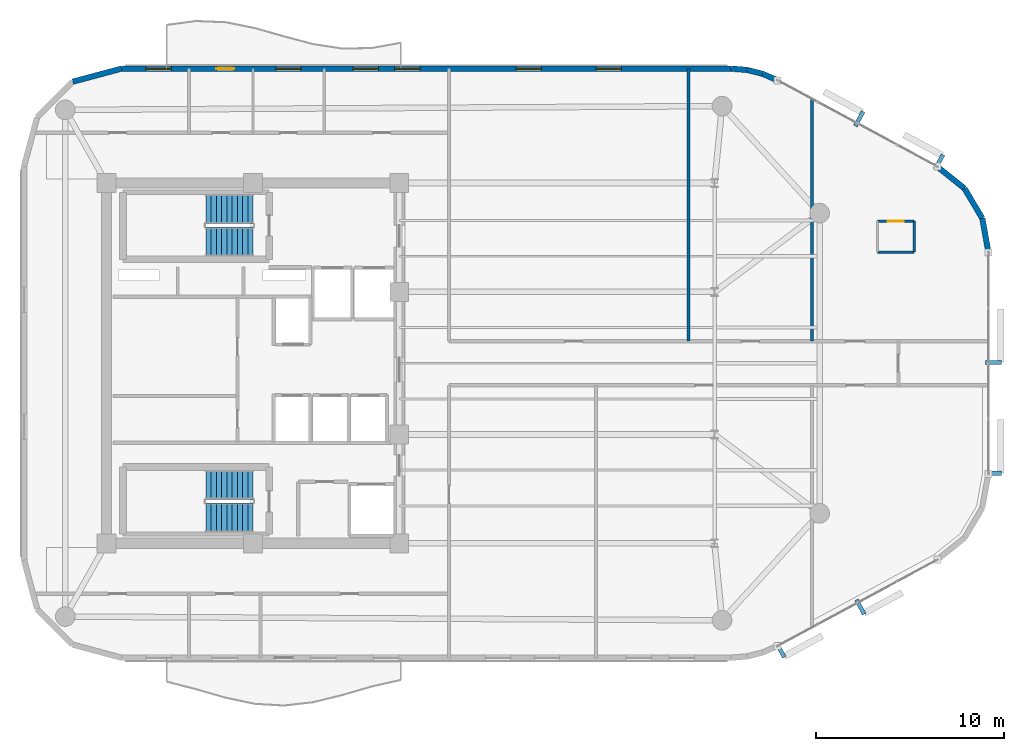
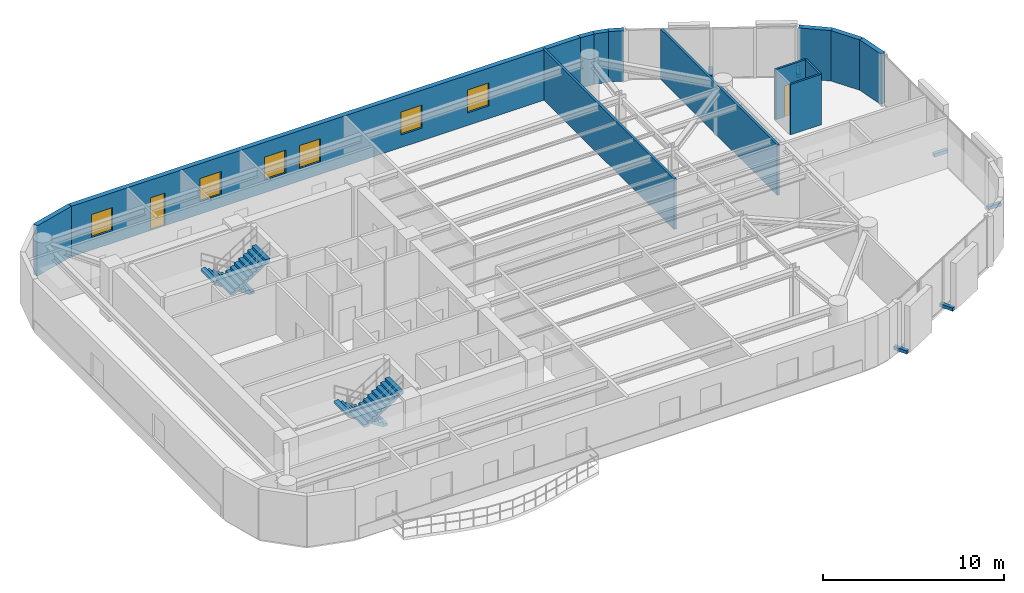
# One storey, part 11 of 13: 13 walls, 6 discrete accessories, 6 windows, 4 stair flights, 2 doors, 8 openings, 2 elements without a shape of their own.
"""IFC4 building model written with IfcOpenShell, lengths in metres."""

from ifc_helpers import new_model, si_unit, direction, frame, frame_2d, origin, origin_2d, place, context, subcontext, project, spatial, polyline, rectangle, outline, extrude, material, layer, layer_set, type_object, element, fill, aggregate, save


model = new_model("IFC4")

# Units and contexts
model_context = context("Model", 3, precision=1e-05, world=origin(), true_north=direction((0.0, 1.0)))
body_context = subcontext(model_context, "Body", "Model", "MODEL_VIEW")
ifc_project = project(units=[si_unit("LENGTHUNIT", "METRE"), si_unit("AREAUNIT", "SQUARE_METRE"), si_unit("VOLUMEUNIT", "CUBIC_METRE"), si_unit("PLANEANGLEUNIT", "RADIAN"), si_unit("MASSUNIT", "GRAM", prefix="KILO")], contexts=[model_context])

# Site, building, storey
site_placement = place(None, origin())
site = spatial("IfcSite", under=ifc_project, at=site_placement, CompositionType="ELEMENT")
building_placement = place(site_placement, origin())
building = spatial("IfcBuilding", under=site, at=building_placement, Name="An Khanh Terracotta Commons", CompositionType="ELEMENT")
storey_placement = place(building_placement, frame((0.0, 0.0, 204.89990234375)))
storey = spatial("IfcBuildingStorey", under=building, at=storey_placement, Name="L53", CompositionType="ELEMENT", Elevation=204.89990234375)

# Walls
ifc_material_1 = material(Name="Precast concrete C40/50", Category="concrete")
ifc_layer_1 = layer(ifc_material_1, 0.300048828125, Name="Precast concrete C40/50")
ifc_layer_set_1 = layer_set([ifc_layer_1], Name="Precast concrete C40/50")
wall_type_1 = type_object("IfcWallType", Name="WALL-EXT-300", PredefinedType="SOLIDWALL", material=ifc_layer_set_1)
wall_1_placement = place(storey_placement, frame((68.60009765625, 29.89892578125, 0.0), z_axis=(0.0, 0.0, 1.0), x_axis=(-0.178468469252, 0.983945631365, 0.0)))
element("IfcWall", 1, at=wall_1_placement, inside=storey, type_object=wall_type_1, Name="L53 Insulated Terracotta Exterior Wall 13", PredefinedType="SOLIDWALL", context=body_context, shape_type="SweptSolid", body=[
    extrude(rectangle(XDim=1.85498046875, YDim=0.300048828125, at=frame_2d((0.927490234375, 0.0))), origin(), (0.0, 0.0, 1.0), 3.400146484375),
])
wall_2_placement = place(storey_placement, frame((68.26904296875, 31.72412109375, 0.0), z_axis=(0.0, 0.0, 1.0), x_axis=(-0.512072018927, 0.858942516955, 0.0)))
element("IfcWall", 2, at=wall_2_placement, inside=storey, type_object=wall_type_1, Name="L53 Insulated Terracotta Exterior Wall 14", PredefinedType="SOLIDWALL", context=body_context, shape_type="SweptSolid", body=[
    extrude(rectangle(XDim=1.853271484375, YDim=0.300048828125, at=frame_2d((0.9267578125, 0.0))), origin(), (0.0, 0.0, 1.0), 3.400146484375),
])
wall_3_placement = place(storey_placement, frame((67.320068359375, 33.31591796875, 0.0), z_axis=(0.0, 0.0, 1.0), x_axis=(-0.780920189257, 0.624630817372, 0.0)))
element("IfcWall", 3, at=wall_3_placement, inside=storey, type_object=wall_type_1, Name="L53 Insulated Terracotta Exterior Wall 15", PredefinedType="SOLIDWALL", context=body_context, shape_type="SweptSolid", body=[
    extrude(rectangle(XDim=1.854248046875, YDim=0.300048828125, at=frame_2d((0.92724609375, 0.0))), origin(), (0.0, 0.0, 1.0), 3.400146484375),
])
wall_4_placement = place(storey_placement, frame((57.35693359375, 39.074951171875, 0.0), z_axis=(0.0, 0.0, 1.0), x_axis=(-0.916085473636, 0.400983048261, 0.0)))
element("IfcWall", 4, at=wall_4_placement, inside=storey, type_object=wall_type_1, Name="L53 Insulated Terracotta Exterior Wall 17", PredefinedType="SOLIDWALL", context=body_context, shape_type="SweptSolid", body=[
    extrude(rectangle(XDim=0.85791015625, YDim=0.300048828125, at=frame_2d((0.428955078125, 0.0))), origin(), (0.0, 0.0, 1.0), 3.400146484375),
])
wall_5_placement = place(storey_placement, frame((56.571044921875, 39.4189453125, 0.0), z_axis=(0.0, 0.0, 1.0), x_axis=(-0.969536346338, 0.244947490555, 0.0)))
element("IfcWall", 5, at=wall_5_placement, inside=storey, type_object=wall_type_1, Name="L53 Insulated Terracotta Exterior Wall 18", PredefinedType="SOLIDWALL", context=body_context, shape_type="SweptSolid", body=[
    extrude(rectangle(XDim=0.857177734375, YDim=0.300048828125, at=frame_2d((0.4287109375, 0.0))), origin(), (0.0, 0.0, 1.0), 3.400146484375),
])
wall_6_placement = place(storey_placement, frame((55.739990234375, 39.62890625, 0.0), z_axis=(0.0, 0.0, 1.0), x_axis=(-0.996565355958, 0.082809971041, 0.0)))
element("IfcWall", 6, at=wall_6_placement, inside=storey, type_object=wall_type_1, Name="L53 Insulated Terracotta Exterior Wall 19", PredefinedType="SOLIDWALL", context=body_context, shape_type="SweptSolid", body=[
    extrude(rectangle(XDim=0.85791015625, YDim=0.300048828125, at=frame_2d((0.428955078125, 0.0))), origin(), (0.0, 0.0, 1.0), 3.400146484375),
])

# Wall, openings, door, windows
wall_7_placement = place(storey_placement, frame((54.885009765625, 39.699951171875, 0.0), z_axis=(0.0, 0.0, 1.0), x_axis=(-1.0, 0.0, 0.0)))
wall_7 = element("IfcWall", 7, at=wall_7_placement, inside=storey, type_object=wall_type_1, Name="L53 Insulated Terracotta Exterior Wall 20", PredefinedType="SOLIDWALL", context=body_context, shape_type="SweptSolid", body=[
    extrude(rectangle(XDim=32.485107421875, YDim=0.300048828125, at=frame_2d((16.24267578125, 0.0))), origin(), (0.0, 0.0, 1.0), 3.400146484375),
])
opening_1_placement = place(wall_7_placement, frame((26.485107421875, 0.0, 0.0)))
opening_1 = element("IfcOpeningElement", 8, at=opening_1_placement, cuts=wall_7, Name="Opening D-BAL", PredefinedType="OPENING", context=body_context, shape_type="SweptSolid", body=[
    extrude(rectangle(XDim=0.949951171875, YDim=2.199951171875, at=frame_2d((0.47509765625, 1.10009765625))), frame((0.0, 0.159912109375, 0.0), z_axis=(0.0, -1.0, 0.0), x_axis=(1.0, 0.0, 0.0)), (0.0, 0.0, 1.0), 0.320068359375),
])
opening_2_placement = place(wall_7_placement, frame((5.845947265625, 0.0, 0.85009765625)))
opening_2 = element("IfcOpeningElement", 9, at=opening_2_placement, cuts=wall_7, Name="Opening W-04", PredefinedType="OPENING", context=body_context, shape_type="SweptSolid", body=[
    extrude(rectangle(XDim=1.35009765625, YDim=1.550048828125, at=frame_2d((0.675048828125, 0.77490234375))), frame((0.0, 0.159912109375, 0.0), z_axis=(0.0, -1.0, 0.0), x_axis=(1.0, 0.0, 0.0)), (0.0, 0.0, 1.0), 0.320068359375),
])
opening_3_placement = place(wall_7_placement, frame((10.10302734375, 0.0, 0.85009765625)))
opening_3 = element("IfcOpeningElement", 10, at=opening_3_placement, cuts=wall_7, Name="Opening W-04", PredefinedType="OPENING", context=body_context, shape_type="SweptSolid", body=[
    extrude(rectangle(XDim=1.35009765625, YDim=1.550048828125, at=frame_2d((0.675048828125, 0.77490234375))), frame((0.0, 0.159912109375, 0.0), z_axis=(0.0, -1.0, 0.0), x_axis=(1.0, 0.0, 0.0)), (0.0, 0.0, 1.0), 0.320068359375),
])
opening_4_placement = place(wall_7_placement, frame((16.576904296875, 0.0, 0.85009765625)))
opening_4 = element("IfcOpeningElement", 11, at=opening_4_placement, cuts=wall_7, Name="Opening W-04", PredefinedType="OPENING", context=body_context, shape_type="SweptSolid", body=[
    extrude(rectangle(XDim=1.35009765625, YDim=1.550048828125, at=frame_2d((0.675048828125, 0.77490234375))), frame((0.0, 0.159912109375, 0.0), z_axis=(0.0, -1.0, 0.0), x_axis=(1.0, 0.0, 0.0)), (0.0, 0.0, 1.0), 0.320068359375),
])
opening_5_placement = place(wall_7_placement, frame((18.79296875, 0.0, 0.85009765625)))
opening_5 = element("IfcOpeningElement", 12, at=opening_5_placement, cuts=wall_7, Name="Opening W-04", PredefinedType="OPENING", context=body_context, shape_type="SweptSolid", body=[
    extrude(rectangle(XDim=1.35009765625, YDim=1.550048828125, at=frame_2d((0.675048828125, 0.77490234375))), frame((0.0, 0.159912109375, 0.0), z_axis=(0.0, -1.0, 0.0), x_axis=(1.0, 0.0, 0.0)), (0.0, 0.0, 1.0), 0.320068359375),
])
opening_6_placement = place(wall_7_placement, frame((22.909912109375, 0.0, 0.85009765625)))
opening_6 = element("IfcOpeningElement", 13, at=opening_6_placement, cuts=wall_7, Name="Opening W-04", PredefinedType="OPENING", context=body_context, shape_type="SweptSolid", body=[
    extrude(rectangle(XDim=1.35009765625, YDim=1.550048828125, at=frame_2d((0.675048828125, 0.77490234375))), frame((0.0, 0.159912109375, 0.0), z_axis=(0.0, -1.0, 0.0), x_axis=(1.0, 0.0, 0.0)), (0.0, 0.0, 1.0), 0.320068359375),
])
opening_7_placement = place(wall_7_placement, frame((29.8349609375, 0.0, 0.85009765625)))
opening_7 = element("IfcOpeningElement", 14, at=opening_7_placement, cuts=wall_7, Name="Opening W-04", PredefinedType="OPENING", context=body_context, shape_type="SweptSolid", body=[
    extrude(rectangle(XDim=1.35009765625, YDim=1.550048828125, at=frame_2d((0.675048828125, 0.77490234375))), frame((0.0, 0.159912109375, 0.0), z_axis=(0.0, -1.0, 0.0), x_axis=(1.0, 0.0, 0.0)), (0.0, 0.0, 1.0), 0.320068359375),
])
ifc_material_2 = material(Name="Thermally Broken Aluminium and Low-E Glass", Category="aluminium")
door_type_1 = type_object("IfcDoorType", Name="DOOR-BALC-950", OperationType="NOTDEFINED", PredefinedType="DOOR", material=ifc_material_2)
door_1_placement = place(opening_1_placement, origin())
door_1 = element("IfcDoor", 15, at=door_1_placement, inside=storey, type_object=door_type_1, Name="L53 N Wave Balcony Glazed Door", OperationType="SINGLE_SWING_RIGHT", OverallHeight=2.199951171875, OverallWidth=0.949951171875, PredefinedType="DOOR", context=body_context, shape_type="SweptSolid", body=[
    extrude(rectangle(XDim=0.949951171875, YDim=2.199951171875, at=frame_2d((0.47509765625, 1.10009765625))), frame((0.0, 0.02490234375, 0.0), z_axis=(0.0, -1.0, 0.0), x_axis=(1.0, 0.0, 0.0)), (0.0, 0.0, 1.0), 0.050048828125),
])
fill(opening_1, door_1)
window_type = type_object("IfcWindowType", Name="WIN-Z4-1350x1550", PartitioningType="SINGLE_PANEL", PredefinedType="WINDOW", material=ifc_material_2)
window_1_placement = place(opening_2_placement, origin())
window_1 = element("IfcWindow", 16, at=window_1_placement, inside=storey, type_object=window_type, Name="L53 Operable Casement Window 20.1", OverallHeight=1.550048828125, OverallWidth=1.35009765625, PartitioningType="SINGLE_PANEL", PredefinedType="WINDOW", context=body_context, shape_type="SweptSolid", body=[
    extrude(rectangle(XDim=1.35009765625, YDim=1.550048828125, at=frame_2d((0.675048828125, 0.77490234375))), frame((0.0, 0.030029296875, 0.0), z_axis=(0.0, -1.0, 0.0), x_axis=(1.0, 0.0, 0.0)), (0.0, 0.0, 1.0), 0.06005859375),
])
fill(opening_2, window_1)
window_2_placement = place(opening_3_placement, origin())
window_2 = element("IfcWindow", 17, at=window_2_placement, inside=storey, type_object=window_type, Name="L53 Operable Casement Window 20.2", OverallHeight=1.550048828125, OverallWidth=1.35009765625, PartitioningType="SINGLE_PANEL", PredefinedType="WINDOW", context=body_context, shape_type="SweptSolid", body=[
    extrude(rectangle(XDim=1.35009765625, YDim=1.550048828125, at=frame_2d((0.675048828125, 0.77490234375))), frame((0.0, 0.030029296875, 0.0), z_axis=(0.0, -1.0, 0.0), x_axis=(1.0, 0.0, 0.0)), (0.0, 0.0, 1.0), 0.06005859375),
])
fill(opening_3, window_2)
window_3_placement = place(opening_4_placement, origin())
window_3 = element("IfcWindow", 18, at=window_3_placement, inside=storey, type_object=window_type, Name="L53 Operable Casement Window 20.3", OverallHeight=1.550048828125, OverallWidth=1.35009765625, PartitioningType="SINGLE_PANEL", PredefinedType="WINDOW", context=body_context, shape_type="SweptSolid", body=[
    extrude(rectangle(XDim=1.35009765625, YDim=1.550048828125, at=frame_2d((0.675048828125, 0.77490234375))), frame((0.0, 0.030029296875, 0.0), z_axis=(0.0, -1.0, 0.0), x_axis=(1.0, 0.0, 0.0)), (0.0, 0.0, 1.0), 0.06005859375),
])
fill(opening_4, window_3)
window_4_placement = place(opening_5_placement, origin())
window_4 = element("IfcWindow", 19, at=window_4_placement, inside=storey, type_object=window_type, Name="L53 Operable Casement Window 20.4", OverallHeight=1.550048828125, OverallWidth=1.35009765625, PartitioningType="SINGLE_PANEL", PredefinedType="WINDOW", context=body_context, shape_type="SweptSolid", body=[
    extrude(rectangle(XDim=1.35009765625, YDim=1.550048828125, at=frame_2d((0.675048828125, 0.77490234375))), frame((0.0, 0.030029296875, 0.0), z_axis=(0.0, -1.0, 0.0), x_axis=(1.0, 0.0, 0.0)), (0.0, 0.0, 1.0), 0.06005859375),
])
fill(opening_5, window_4)
window_5_placement = place(opening_6_placement, origin())
window_5 = element("IfcWindow", 20, at=window_5_placement, inside=storey, type_object=window_type, Name="L53 Operable Casement Window 20.5", OverallHeight=1.550048828125, OverallWidth=1.35009765625, PartitioningType="SINGLE_PANEL", PredefinedType="WINDOW", context=body_context, shape_type="SweptSolid", body=[
    extrude(rectangle(XDim=1.35009765625, YDim=1.550048828125, at=frame_2d((0.675048828125, 0.77490234375))), frame((0.0, 0.030029296875, 0.0), z_axis=(0.0, -1.0, 0.0), x_axis=(1.0, 0.0, 0.0)), (0.0, 0.0, 1.0), 0.06005859375),
])
fill(opening_6, window_5)
window_6_placement = place(opening_7_placement, origin())
window_6 = element("IfcWindow", 21, at=window_6_placement, inside=storey, type_object=window_type, Name="L53 Operable Casement Window 20.6", OverallHeight=1.550048828125, OverallWidth=1.35009765625, PartitioningType="SINGLE_PANEL", PredefinedType="WINDOW", context=body_context, shape_type="SweptSolid", body=[
    extrude(rectangle(XDim=1.35009765625, YDim=1.550048828125, at=frame_2d((0.675048828125, 0.77490234375))), frame((0.0, 0.030029296875, 0.0), z_axis=(0.0, -1.0, 0.0), x_axis=(1.0, 0.0, 0.0)), (0.0, 0.0, 1.0), 0.06005859375),
])
fill(opening_7, window_6)

# Walls
wall_8_placement = place(storey_placement, frame((22.39990234375, 39.699951171875, 0.0), z_axis=(0.0, 0.0, 1.0), x_axis=(-0.965889330541, -0.258955210695, 0.0)))
element("IfcWall", 22, at=wall_8_placement, inside=storey, type_object=wall_type_1, Name="L53 Insulated Terracotta Exterior Wall 21", PredefinedType="SOLIDWALL", context=body_context, shape_type="SweptSolid", body=[
    extrude(rectangle(XDim=2.691650390625, YDim=0.300048828125, at=frame_2d((1.345703125, 0.0))), origin(), (0.0, 0.0, 1.0), 3.400146484375),
])
ifc_material_3 = material(Name="Acoustic Gypsum Board Partition")
ifc_layer_2 = layer(ifc_material_3, 0.14990234375, Name="Acoustic Gypsum Board Partition")
ifc_layer_set_2 = layer_set([ifc_layer_2], Name="Acoustic Gypsum Board Partition")
wall_type_2 = type_object("IfcWallType", Name="WALL-PART-150", PredefinedType="PARTITIONING", material=ifc_layer_set_2)
wall_9_placement = place(storey_placement, frame((52.62109375, 25.179931640625, 0.0), z_axis=(0.0, 0.0, 1.0), x_axis=(0.0, 1.0, 0.0)))
element("IfcWall", 23, at=wall_9_placement, inside=storey, type_object=wall_type_2, Name="L53 Interior Partition IW-L53-E013", PredefinedType="PARTITIONING", context=body_context, shape_type="SweptSolid", body=[
    extrude(rectangle(XDim=14.52001953125, YDim=0.14990234375, at=frame_2d((7.260009765625, 0.0))), origin(), (0.0, 0.0, 1.0), 3.400146484375),
])
wall_10_placement = place(storey_placement, frame((59.199951171875, 25.179931640625, 0.0), z_axis=(0.0, 0.0, 1.0), x_axis=(0.0, 1.0, 0.0)))
element("IfcWall", 24, at=wall_10_placement, inside=storey, type_object=wall_type_2, Name="L53 Interior Partition IW-L53-E015", PredefinedType="PARTITIONING", context=body_context, shape_type="SweptSolid", body=[
    extrude(rectangle(XDim=12.899169921875, YDim=0.14990234375, at=frame_2d((6.44970703125, 0.0))), origin(), (0.0, 0.0, 1.0), 3.400146484375),
])

# Wall, opening, door
ifc_material_4 = material(Name="Moisture-Resistant Cement Board Partition")
ifc_layer_3 = layer(ifc_material_4, 0.1201171875, Name="Moisture-Resistant Cement Board Partition")
ifc_layer_set_3 = layer_set([ifc_layer_3], Name="Moisture-Resistant Cement Board Partition")
wall_type_3 = type_object("IfcWallType", Name="WALL-WET-120", PredefinedType="PARTITIONING", material=ifc_layer_set_3)
wall_11_placement = place(storey_placement, frame((62.68603515625, 31.56494140625, 0.0), z_axis=(0.0, 0.0, 1.0), x_axis=(1.0, 0.0, 0.0)))
wall_11 = element("IfcWall", 25, at=wall_11_placement, inside=storey, type_object=wall_type_3, Name="L53 Interior Partition IW-L53-ENO1-BN", PredefinedType="PARTITIONING", context=body_context, shape_type="SweptSolid", body=[
    extrude(rectangle(XDim=1.949951171875, YDim=0.1201171875, at=frame_2d((0.97509765625, 0.0))), origin(), (0.0, 0.0, 1.0), 3.400146484375),
])
opening_8_placement = place(wall_11_placement, frame((0.544921875, 0.0, 0.0)))
opening_8 = element("IfcOpeningElement", 26, at=opening_8_placement, cuts=wall_11, Name="Opening D-ENS", PredefinedType="OPENING", context=body_context, shape_type="SweptSolid", body=[
    extrude(rectangle(XDim=0.860107421875, YDim=2.10009765625, at=frame_2d((0.43017578125, 1.050048828125))), frame((0.0, 0.070068359375, 0.0), z_axis=(0.0, -1.0, 0.0), x_axis=(1.0, 0.0, 0.0)), (0.0, 0.0, 1.0), 0.14013671875),
])
ifc_material_5 = material(Name="Moisture-Resistant Hardwood Timber Leaf", Category="wood")
door_type_2 = type_object("IfcDoorType", Name="DOOR-BATH-860", OperationType="NOTDEFINED", PredefinedType="DOOR", material=ifc_material_5)
door_2_placement = place(opening_8_placement, origin())
door_2 = element("IfcDoor", 27, at=door_2_placement, inside=storey, type_object=door_type_2, Name="L53 Studio ENO1 En-suite Door", OperationType="SINGLE_SWING_RIGHT", OverallHeight=2.10009765625, OverallWidth=0.860107421875, PredefinedType="DOOR", context=body_context, shape_type="SweptSolid", body=[
    extrude(rectangle(XDim=0.860107421875, YDim=2.10009765625, at=frame_2d((0.43017578125, 1.050048828125))), frame((0.0, 0.02490234375, 0.0), z_axis=(0.0, -1.0, 0.0), x_axis=(1.0, 0.0, 0.0)), (0.0, 0.0, 1.0), 0.050048828125),
])
fill(opening_8, door_2)

# Walls
wall_12_placement = place(storey_placement, frame((64.635986328125, 29.9150390625, 0.0), z_axis=(0.0, 0.0, 1.0), x_axis=(-1.0, 0.0, 0.0)))
element("IfcWall", 28, at=wall_12_placement, inside=storey, type_object=wall_type_3, Name="L53 Interior Partition IW-L53-ENO1-BS", PredefinedType="PARTITIONING", context=body_context, shape_type="SweptSolid", body=[
    extrude(rectangle(XDim=1.949951171875, YDim=0.1201171875, at=frame_2d((0.97509765625, 0.0))), origin(), (0.0, 0.0, 1.0), 3.400146484375),
])
wall_13_placement = place(storey_placement, frame((64.635986328125, 29.9150390625, 0.0), z_axis=(0.0, 0.0, 1.0), x_axis=(0.0, 1.0, 0.0)))
element("IfcWall", 29, at=wall_13_placement, inside=storey, type_object=wall_type_3, Name="L53 Interior Partition IW-L53-ENO1-BE", PredefinedType="PARTITIONING", context=body_context, shape_type="SweptSolid", body=[
    extrude(rectangle(XDim=1.64990234375, YDim=0.1201171875, at=frame_2d((0.824951171875, 0.0))), origin(), (0.0, 0.0, 1.0), 3.400146484375),
])

# Stair, stair flights
stair_type = type_object("IfcStairType", Name="STAIR-CORE-1550", PredefinedType="HALF_TURN_STAIR", material=ifc_material_1)
stair_1_placement = place(storey_placement, origin())
stair_1 = element("IfcStair", 30, at=stair_1_placement, inside=storey, type_object=stair_type, Name="L53 Core Smokeproof Exit Stair ST-01", PredefinedType="HALF_TURN_STAIR")
stair_flight_type = type_object("IfcStairFlightType", Name="FLIGHT-CORE-1550", PredefinedType="STRAIGHT", material=ifc_material_1)
stair_flight_1_placement = place(storey_placement, frame((29.409912109375, 32.22509765625, 0.0), z_axis=(0.0, 0.0, 1.0), x_axis=(-1.0, 0.0, 0.0)))
stair_flight_1 = element("IfcStairFlight", 31, at=stair_flight_1_placement, type_object=stair_flight_type, Name="ST-01 flight 1", NumberOfRisers=10, NumberOfTreads=9, PredefinedType="STRAIGHT", RiserHeight=0.18, TreadLength=0.28, context=body_context, shape_type="SweptSolid", body=[
    extrude(outline(polyline([(0.0, 0.0), (0.0, 0.179931640625), (0.280029296875, 0.179931640625), (0.280029296875, 0.360107421875), (0.56005859375, 0.360107421875), (0.56005859375, 0.5400390625), (0.840087890625, 0.5400390625), (0.840087890625, 0.719970703125), (1.1201171875, 0.719970703125), (1.1201171875, 0.89990234375), (1.39990234375, 0.89990234375), (1.39990234375, 1.080078125), (1.679931640625, 1.080078125), (1.679931640625, 1.260009765625), (1.9599609375, 1.260009765625), (1.9599609375, 1.43994140625), (2.239990234375, 1.43994140625), (2.239990234375, 1.6201171875), (2.52001953125, 1.6201171875), (2.52001953125, 1.800048828125), (2.52001953125, 1.44189453125), (0.277099609375, 0.0), (0.0, 0.0)])), frame((0.0, 0.77490234375, 0.0), z_axis=(0.0, -1.0, 0.0), x_axis=(1.0, 0.0, 0.0)), (0.0, 0.0, 1.0), 1.550048828125),
])
stair_flight_2_placement = place(storey_placement, frame((26.889892578125, 30.47509765625, 1.800048828125), z_axis=(0.0, 0.0, 1.0), x_axis=(1.0, 0.0, 0.0)))
stair_flight_2 = element("IfcStairFlight", 32, at=stair_flight_2_placement, type_object=stair_flight_type, Name="ST-01 flight 2", NumberOfRisers=10, NumberOfTreads=9, PredefinedType="STRAIGHT", RiserHeight=0.18, TreadLength=0.28, context=body_context, shape_type="SweptSolid", body=[
    extrude(outline(polyline([(0.0, 0.0), (0.0, 0.179931640625), (0.280029296875, 0.179931640625), (0.280029296875, 0.360107421875), (0.56005859375, 0.360107421875), (0.56005859375, 0.5400390625), (0.840087890625, 0.5400390625), (0.840087890625, 0.719970703125), (1.1201171875, 0.719970703125), (1.1201171875, 0.89990234375), (1.39990234375, 0.89990234375), (1.39990234375, 1.080078125), (1.679931640625, 1.080078125), (1.679931640625, 1.260009765625), (1.9599609375, 1.260009765625), (1.9599609375, 1.43994140625), (2.239990234375, 1.43994140625), (2.239990234375, 1.6201171875), (2.52001953125, 1.6201171875), (2.52001953125, 1.800048828125), (2.52001953125, 1.44189453125), (0.277099609375, 0.0), (0.0, 0.0)])), frame((0.0, 0.77490234375, 0.0), z_axis=(0.0, -1.0, 0.0), x_axis=(1.0, 0.0, 0.0)), (0.0, 0.0, 1.0), 1.550048828125),
])
aggregate(stair_1, [stair_flight_1, stair_flight_2])

stair_2_placement = place(storey_placement, origin())
stair_2 = element("IfcStair", 33, at=stair_2_placement, inside=storey, type_object=stair_type, Name="L53 Core Smokeproof Exit Stair ST-02", PredefinedType="HALF_TURN_STAIR")
stair_flight_3_placement = place(storey_placement, frame((29.409912109375, 17.52490234375, 0.0), z_axis=(0.0, 0.0, 1.0), x_axis=(-1.0, 0.0, 0.0)))
stair_flight_3 = element("IfcStairFlight", 34, at=stair_flight_3_placement, type_object=stair_flight_type, Name="ST-02 flight 1", NumberOfRisers=10, NumberOfTreads=9, PredefinedType="STRAIGHT", RiserHeight=0.18, TreadLength=0.28, context=body_context, shape_type="SweptSolid", body=[
    extrude(outline(polyline([(0.0, 0.0), (0.0, 0.179931640625), (0.280029296875, 0.179931640625), (0.280029296875, 0.360107421875), (0.56005859375, 0.360107421875), (0.56005859375, 0.5400390625), (0.840087890625, 0.5400390625), (0.840087890625, 0.719970703125), (1.1201171875, 0.719970703125), (1.1201171875, 0.89990234375), (1.39990234375, 0.89990234375), (1.39990234375, 1.080078125), (1.679931640625, 1.080078125), (1.679931640625, 1.260009765625), (1.9599609375, 1.260009765625), (1.9599609375, 1.43994140625), (2.239990234375, 1.43994140625), (2.239990234375, 1.6201171875), (2.52001953125, 1.6201171875), (2.52001953125, 1.800048828125), (2.52001953125, 1.44189453125), (0.277099609375, 0.0), (0.0, 0.0)])), frame((0.0, 0.77490234375, 0.0), z_axis=(0.0, -1.0, 0.0), x_axis=(1.0, 0.0, 0.0)), (0.0, 0.0, 1.0), 1.550048828125),
])
stair_flight_4_placement = place(storey_placement, frame((26.889892578125, 15.77490234375, 1.800048828125), z_axis=(0.0, 0.0, 1.0), x_axis=(1.0, 0.0, 0.0)))
stair_flight_4 = element("IfcStairFlight", 35, at=stair_flight_4_placement, type_object=stair_flight_type, Name="ST-02 flight 2", NumberOfRisers=10, NumberOfTreads=9, PredefinedType="STRAIGHT", RiserHeight=0.18, TreadLength=0.28, context=body_context, shape_type="SweptSolid", body=[
    extrude(outline(polyline([(0.0, 0.0), (0.0, 0.179931640625), (0.280029296875, 0.179931640625), (0.280029296875, 0.360107421875), (0.56005859375, 0.360107421875), (0.56005859375, 0.5400390625), (0.840087890625, 0.5400390625), (0.840087890625, 0.719970703125), (1.1201171875, 0.719970703125), (1.1201171875, 0.89990234375), (1.39990234375, 0.89990234375), (1.39990234375, 1.080078125), (1.679931640625, 1.080078125), (1.679931640625, 1.260009765625), (1.9599609375, 1.260009765625), (1.9599609375, 1.43994140625), (2.239990234375, 1.43994140625), (2.239990234375, 1.6201171875), (2.52001953125, 1.6201171875), (2.52001953125, 1.800048828125), (2.52001953125, 1.44189453125), (0.277099609375, 0.0), (0.0, 0.0)])), frame((0.0, 0.77490234375, 0.0), z_axis=(0.0, -1.0, 0.0), x_axis=(1.0, 0.0, 0.0)), (0.0, 0.0, 1.0), 1.550048828125),
])
aggregate(stair_2, [stair_flight_3, stair_flight_4])

# Discrete accessories
ifc_material_6 = material(Name="Stainless Steel Grade 316L", Category="steel")
discrete_accessory_type = type_object("IfcDiscreteAccessoryType", Name="Stainless Outrigger Facade Bracket", PredefinedType="BRACKET", material=ifc_material_6)
for number, where, z_axis, x_axis, name in (
    (36, (57.513916015625, 8.7080078125, 0.0703125), (0.0, 0.0, 1.0), (0.879780095306, 0.47538088298, 0.0), "L53 Terracotta Screen Outrigger Bracket 1"),
    (37, (61.77099609375, 11.009033203125, 0.0703125), (0.0, 0.0, 1.0), (0.879780095306, 0.47538088298, 0.0), "L53 Terracotta Screen Outrigger Bracket 3"),
    (38, (68.864990234375, 18.135986328125, 0.0703125), (0.0, 0.0, 1.0), (0.0, 1.0, 0.0), "L53 Terracotta Screen Outrigger Bracket 1"),
    (39, (68.864990234375, 24.034912109375, 0.0703125), (0.0, 0.0, 1.0), (0.0, 1.0, 0.0), "L53 Terracotta Screen Outrigger Bracket 3"),
    (40, (65.967041015625, 34.72412109375, 0.0703125), (0.0, 0.0, 1.0), (-0.879780095306, 0.47538088298, 0.0), "L53 Terracotta Screen Outrigger Bracket 1"),
    (41, (61.7099609375, 37.02392578125, 0.0703125), (0.0, 0.0, 1.0), (-0.879780095306, 0.47538088298, 0.0), "L53 Terracotta Screen Outrigger Bracket 3"),
):
    element("IfcDiscreteAccessory", number, at=place(storey_placement, frame(where, z_axis=z_axis, x_axis=x_axis)), inside=storey, type_object=discrete_accessory_type, Name=name, PredefinedType="BRACKET", context=body_context, shape_type="SweptSolid", body=[
        extrude(rectangle(XDim=0.219970703125, YDim=0.8701171875, at=origin_2d()), origin(), (0.0, 0.0, 1.0), 0.219970703125),
    ])

save(model, "model.ifc")
